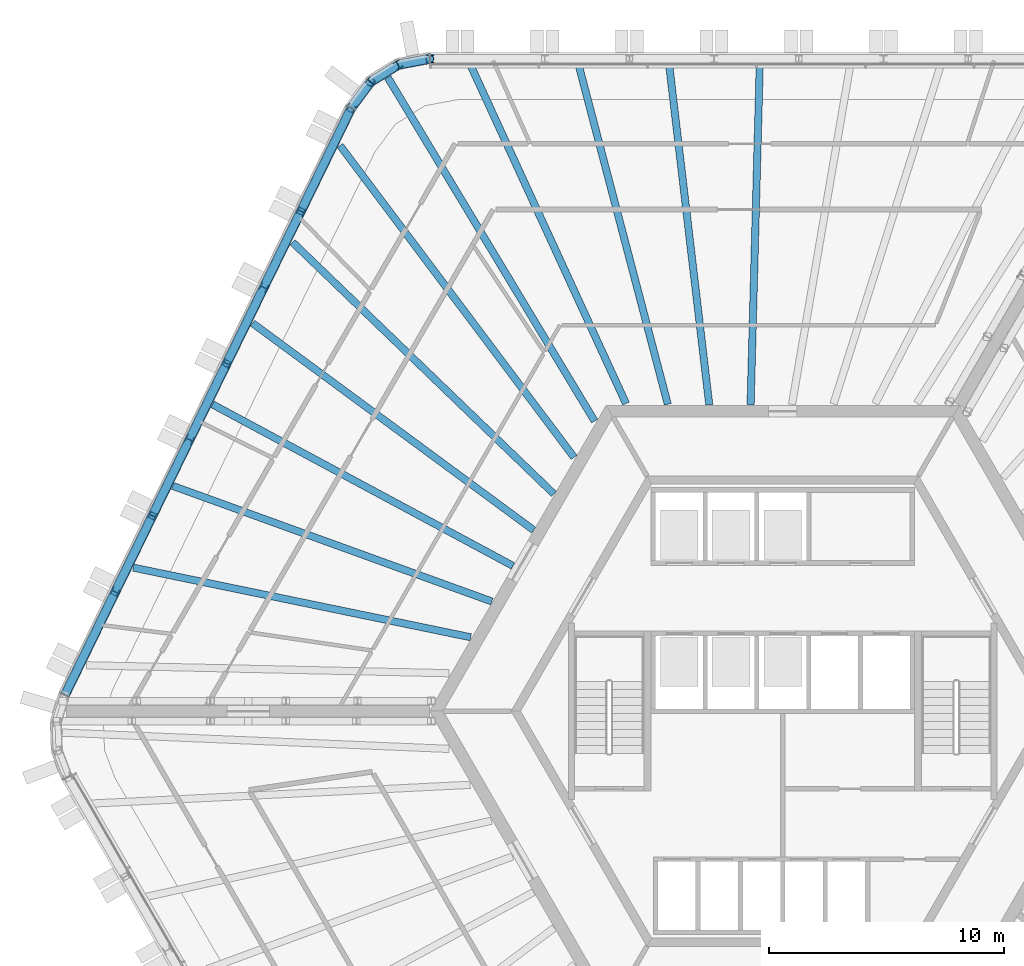
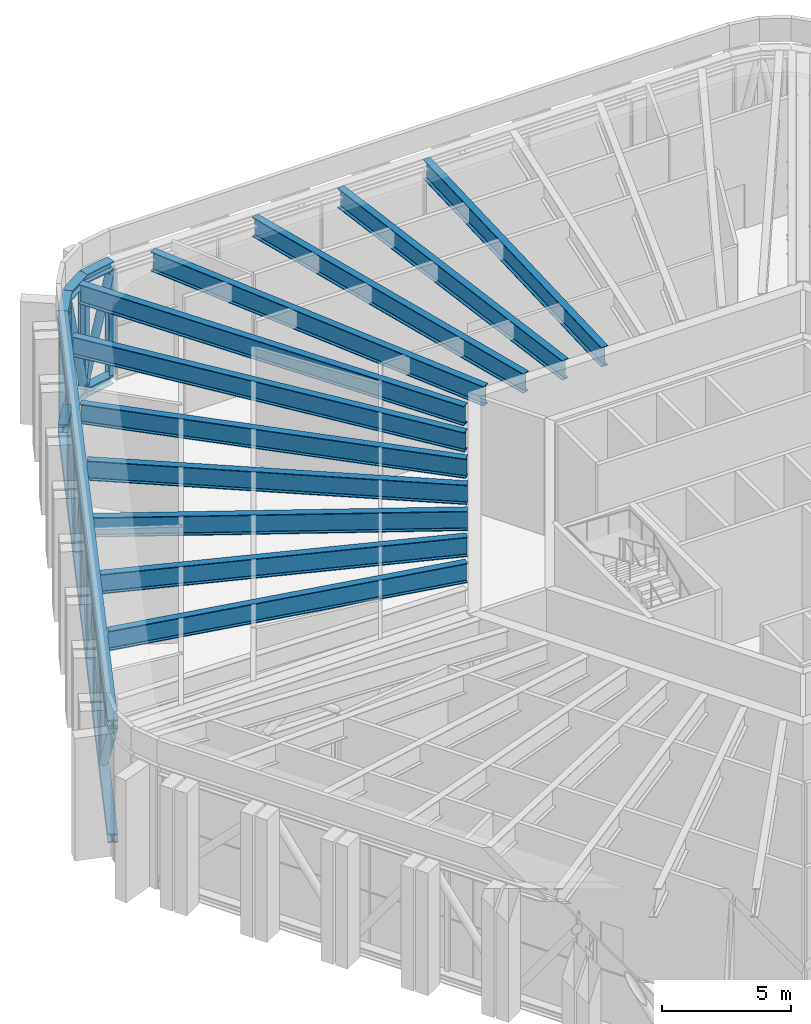
# One storey, part 6 of 24: 28 members, 11 beams.
"""IFC4 building model written with IfcOpenShell, lengths in metres."""

from ifc_helpers import new_model, si_unit, direction, frame, origin, origin_2d, place, context, subcontext, project, spatial, hollow_circle, i_section, extrude, material, material_profile, profile_set, type_object, element, save


model = new_model("IFC4")

# Units and contexts
model_context = context("Model", 3, precision=1e-05, world=origin(), true_north=direction((0.0, 1.0)))
body_context = subcontext(model_context, "Body", "Model", "MODEL_VIEW")
ifc_project = project(units=[si_unit("LENGTHUNIT", "METRE"), si_unit("AREAUNIT", "SQUARE_METRE"), si_unit("VOLUMEUNIT", "CUBIC_METRE"), si_unit("PLANEANGLEUNIT", "RADIAN"), si_unit("MASSUNIT", "GRAM", prefix="KILO")], contexts=[model_context])

# Site, building, storey
site_placement = place(None, origin())
site = spatial("IfcSite", under=ifc_project, at=site_placement, CompositionType="ELEMENT")
building_placement = place(site_placement, origin())
building = spatial("IfcBuilding", under=site, at=building_placement, Name="Tarnside Tower", CompositionType="ELEMENT")
storey_placement = place(building_placement, frame((0.0, 0.0, 250.199951171875)))
storey = spatial("IfcBuildingStorey", under=building, at=storey_placement, Name="L60", CompositionType="ELEMENT", Elevation=250.199951171875)

# Beams
ifc_material = material(Name="Steel S355", Category="steel")
ifc_material_profile_1 = material_profile(ifc_material, i_section(OverallWidth=0.3076171875, OverallDepth=0.926513671875, WebThickness=0.01953125, FlangeThickness=0.031982421875, FilletRadius=0.01904296875, at=origin_2d()), Name="UB 914x305x289")
ifc_profile_set_1 = profile_set([ifc_material_profile_1], Name="Steel S355")
beam_type = type_object("IfcBeamType", Name="Floor beam UB 914x305x289", PredefinedType="BEAM", material=ifc_profile_set_1)
beam_1_placement = place(storey_placement, frame((-0.977783203125, 27.50146484375, 5.036865234375), z_axis=(-0.026863321038, -0.999639115873, 0.0), x_axis=(0.999639115873, -0.026863321038, 0.0)))
element("IfcBeam", 1, at=beam_1_placement, inside=storey, type_object=beam_type, Name="Floor beam F1.04", PredefinedType="BEAM", context=body_context, shape_type="SweptSolid", body=[
    extrude(i_section(OverallWidth=0.3076171875, OverallDepth=0.926513671875, WebThickness=0.01953125, FlangeThickness=0.031982421875, FilletRadius=0.01904296875, at=origin_2d()), origin(), (0.0, 0.0, 1.0), 14.486572265625),
])
beam_2_placement = place(storey_placement, frame((-4.831298828125, 27.501708984375, 5.036865234375), z_axis=(0.117114209744, -0.993118453094, 0.0), x_axis=(0.993118453094, 0.117114209744, 0.0)))
element("IfcBeam", 2, at=beam_2_placement, inside=storey, type_object=beam_type, Name="Floor beam F1.05", PredefinedType="BEAM", context=body_context, shape_type="SweptSolid", body=[
    extrude(i_section(OverallWidth=0.3076171875, OverallDepth=0.926513671875, WebThickness=0.01953125, FlangeThickness=0.031982421875, FilletRadius=0.01904296875, at=origin_2d()), origin(), (0.0, 0.0, 1.0), 14.58203125),
])
beam_3_placement = place(storey_placement, frame((-8.68017578125, 27.48291015625, 5.036865234375), z_axis=(0.25412313077, -0.967171874285, 0.0), x_axis=(0.967171874285, 0.25412313077, 0.0)))
element("IfcBeam", 3, at=beam_3_placement, inside=storey, type_object=beam_type, Name="Floor beam F1.06", PredefinedType="BEAM", context=body_context, shape_type="SweptSolid", body=[
    extrude(i_section(OverallWidth=0.3076171875, OverallDepth=0.926513671875, WebThickness=0.01953125, FlangeThickness=0.031982421875, FilletRadius=0.01904296875, at=origin_2d()), origin(), (0.0, 0.0, 1.0), 14.934326171875),
])
beam_4_placement = place(storey_placement, frame((-13.266357421875, 27.44873046875, 5.036865234375), z_axis=(0.41745161314, -0.908699153013, 0.0), x_axis=(0.908699153013, 0.41745161314, 0.0)))
element("IfcBeam", 4, at=beam_4_placement, inside=storey, type_object=beam_type, Name="Floor beam F1.07", PredefinedType="BEAM", context=body_context, shape_type="SweptSolid", body=[
    extrude(i_section(OverallWidth=0.3076171875, OverallDepth=0.926513671875, WebThickness=0.01953125, FlangeThickness=0.031982421875, FilletRadius=0.01904296875, at=origin_2d()), origin(), (0.0, 0.0, 1.0), 15.8203125),
])
beam_5_placement = place(storey_placement, frame((-16.78857421875, 26.93359375, 5.036865234375), z_axis=(0.515731331161, -0.856750368578, 0.0), x_axis=(0.856750368578, 0.515731331161, 0.0)))
element("IfcBeam", 5, at=beam_5_placement, inside=storey, type_object=beam_type, Name="Floor beam C1", PredefinedType="BEAM", context=body_context, shape_type="SweptSolid", body=[
    extrude(i_section(OverallWidth=0.3076171875, OverallDepth=0.926513671875, WebThickness=0.01953125, FlangeThickness=0.031982421875, FilletRadius=0.01904296875, at=origin_2d()), origin(), (0.0, 0.0, 1.0), 17.049560546875),
])
beam_6_placement = place(storey_placement, frame((-18.817138671875, 24.037841796875, 5.036865234375), z_axis=(0.600358257104, -0.79973118179, 0.0), x_axis=(0.79973118179, 0.600358257104, 0.0)))
element("IfcBeam", 6, at=beam_6_placement, inside=storey, type_object=beam_type, Name="Floor beam F2.01", PredefinedType="BEAM", context=body_context, shape_type="SweptSolid", body=[
    extrude(i_section(OverallWidth=0.3076171875, OverallDepth=0.926513671875, WebThickness=0.01953125, FlangeThickness=0.031982421875, FilletRadius=0.01904296875, at=origin_2d()), origin(), (0.0, 0.0, 1.0), 16.570556640625),
])
beam_7_placement = place(storey_placement, frame((-20.836181640625, 19.930419921875, 5.036865234375), z_axis=(0.720269831196, -0.69369400334, 0.0), x_axis=(0.69369400334, 0.720269831196, 0.0)))
element("IfcBeam", 7, at=beam_7_placement, inside=storey, type_object=beam_type, Name="Floor beam F2.02", PredefinedType="BEAM", context=body_context, shape_type="SweptSolid", body=[
    extrude(i_section(OverallWidth=0.3076171875, OverallDepth=0.926513671875, WebThickness=0.01953125, FlangeThickness=0.031982421875, FilletRadius=0.01904296875, at=origin_2d()), origin(), (0.0, 0.0, 1.0), 15.42431640625),
])
beam_8_placement = place(storey_placement, frame((-22.53466796875, 16.488525390625, 5.036865234375), z_axis=(0.805321384056, -0.592838484228, 0.0), x_axis=(0.592838484228, 0.805321384056, 0.0)))
element("IfcBeam", 8, at=beam_8_placement, inside=storey, type_object=beam_type, Name="Floor beam F2.03", PredefinedType="BEAM", context=body_context, shape_type="SweptSolid", body=[
    extrude(i_section(OverallWidth=0.3076171875, OverallDepth=0.926513671875, WebThickness=0.01953125, FlangeThickness=0.031982421875, FilletRadius=0.01904296875, at=origin_2d()), origin(), (0.0, 0.0, 1.0), 14.8310546875),
])
beam_9_placement = place(storey_placement, frame((-24.23876953125, 13.0390625, 5.036865234375), z_axis=(0.880816935365, -0.473456995274, 0.0), x_axis=(0.473456995274, 0.880816935365, 0.0)))
element("IfcBeam", 9, at=beam_9_placement, inside=storey, type_object=beam_type, Name="Floor beam F2.04", PredefinedType="BEAM", context=body_context, shape_type="SweptSolid", body=[
    extrude(i_section(OverallWidth=0.3076171875, OverallDepth=0.926513671875, WebThickness=0.01953125, FlangeThickness=0.031982421875, FilletRadius=0.01904296875, at=origin_2d()), origin(), (0.0, 0.0, 1.0), 14.49755859375),
])
beam_10_placement = place(storey_placement, frame((-25.92919921875, 9.573486328125, 5.036865234375), z_axis=(0.940215681399, -0.340579612501, 0.0), x_axis=(0.340579612501, 0.940215681399, 0.0)))
element("IfcBeam", 10, at=beam_10_placement, inside=storey, type_object=beam_type, Name="Floor beam F2.05", PredefinedType="BEAM", context=body_context, shape_type="SweptSolid", body=[
    extrude(i_section(OverallWidth=0.3076171875, OverallDepth=0.926513671875, WebThickness=0.01953125, FlangeThickness=0.031982421875, FilletRadius=0.01904296875, at=origin_2d()), origin(), (0.0, 0.0, 1.0), 14.42578125),
])
beam_11_placement = place(storey_placement, frame((-27.6025390625, 6.09912109375, 5.036865234375), z_axis=(0.979360352241, -0.202121993998, 0.0), x_axis=(0.202121993998, 0.979360352241, 0.0)))
element("IfcBeam", 11, at=beam_11_placement, inside=storey, type_object=beam_type, Name="Floor beam F2.06", PredefinedType="BEAM", context=body_context, shape_type="SweptSolid", body=[
    extrude(i_section(OverallWidth=0.3076171875, OverallDepth=0.926513671875, WebThickness=0.01953125, FlangeThickness=0.031982421875, FilletRadius=0.01904296875, at=origin_2d()), origin(), (0.0, 0.0, 1.0), 14.640869140625),
])

# Members
ifc_material_profile_2 = material_profile(ifc_material, i_section(OverallWidth=0.403076171875, OverallDepth=0.406494140625, WebThickness=0.026611328125, FlangeThickness=0.04296875, FilletRadius=0.01513671875, at=origin_2d()), Name="UC 356x406x340")
ifc_profile_set_2 = profile_set([ifc_material_profile_2], Name="Steel S355")
member_type_1 = type_object("IfcMemberType", Name="Truss chord UC 356x406x340", PredefinedType="CHORD", material=ifc_profile_set_2)
member_1_placement = place(storey_placement, frame((-14.996826171875, 27.72509765625, -0.0966796875), z_axis=(-0.982705443133, -0.185175624845, 0.0), x_axis=(0.185175624845, -0.982705443133, 0.0)))
element("IfcMember", 12, at=member_1_placement, inside=storey, type_object=member_type_1, Name="Belt truss bottom chord L60 corner1.1", PredefinedType="CHORD", context=body_context, shape_type="SweptSolid", body=[
    extrude(i_section(OverallWidth=0.403076171875, OverallDepth=0.406494140625, WebThickness=0.026611328125, FlangeThickness=0.04296875, FilletRadius=0.01513671875, at=origin_2d()), origin(), (0.0, 0.0, 1.0), 1.379150390625),
])
member_2_placement = place(storey_placement, frame((-16.35205078125, 27.4697265625, -0.0966796875), z_axis=(-0.848057977594, -0.5299034503, 0.0), x_axis=(0.5299034503, -0.848057977594, 0.0)))
element("IfcMember", 13, at=member_2_placement, inside=storey, type_object=member_type_1, Name="Belt truss bottom chord L60 corner1.2", PredefinedType="CHORD", context=body_context, shape_type="SweptSolid", body=[
    extrude(i_section(OverallWidth=0.403076171875, OverallDepth=0.406494140625, WebThickness=0.026611328125, FlangeThickness=0.04296875, FilletRadius=0.01513671875, at=origin_2d()), origin(), (0.0, 0.0, 1.0), 1.37890625),
])
member_3_placement = place(storey_placement, frame((-17.521484375, 26.739013671875, -0.0966796875), z_axis=(-0.597135295884, -0.802140535324, 0.0), x_axis=(0.802140535324, -0.597135295884, 0.0)))
element("IfcMember", 14, at=member_3_placement, inside=storey, type_object=member_type_1, Name="Belt truss bottom chord L60 corner1.3", PredefinedType="CHORD", context=body_context, shape_type="SweptSolid", body=[
    extrude(i_section(OverallWidth=0.403076171875, OverallDepth=0.406494140625, WebThickness=0.026611328125, FlangeThickness=0.04296875, FilletRadius=0.01513671875, at=origin_2d()), origin(), (0.0, 0.0, 1.0), 1.379150390625),
])
member_4_placement = place(storey_placement, frame((-18.344970703125, 25.6328125, -0.0966796875), z_axis=(-0.43837181828, -0.898793718791, 0.0), x_axis=(0.898793718791, -0.43837181828, 0.0)))
element("IfcMember", 15, at=member_4_placement, inside=storey, type_object=member_type_1, Name="Belt truss bottom chord L60 run", PredefinedType="CHORD", context=body_context, shape_type="SweptSolid", body=[
    extrude(i_section(OverallWidth=0.403076171875, OverallDepth=0.406494140625, WebThickness=0.026611328125, FlangeThickness=0.04296875, FilletRadius=0.01513671875, at=origin_2d()), origin(), (0.0, 0.0, 1.0), 27.7578125),
])
ifc_material_profile_3 = material_profile(ifc_material, i_section(OverallWidth=0.406982421875, OverallDepth=0.4189453125, WebThickness=0.030517578125, FlangeThickness=0.04931640625, FilletRadius=0.01513671875, at=origin_2d()), Name="UC 356x406x393")
ifc_profile_set_3 = profile_set([ifc_material_profile_3], Name="Steel S355")
member_type_2 = type_object("IfcMemberType", Name="Truss chord UC 356x406x393", PredefinedType="CHORD", material=ifc_profile_set_3)
member_5_placement = place(storey_placement, frame((-14.996826171875, 27.72509765625, 5.29052734375), z_axis=(-0.982705443133, -0.185175624845, 0.0), x_axis=(0.185175624845, -0.982705443133, 0.0)))
element("IfcMember", 16, at=member_5_placement, inside=storey, type_object=member_type_2, Name="Belt truss top chord L60 corner1.1", PredefinedType="CHORD", context=body_context, shape_type="SweptSolid", body=[
    extrude(i_section(OverallWidth=0.406982421875, OverallDepth=0.4189453125, WebThickness=0.030517578125, FlangeThickness=0.04931640625, FilletRadius=0.01513671875, at=origin_2d()), origin(), (0.0, 0.0, 1.0), 1.379150390625),
])
member_6_placement = place(storey_placement, frame((-16.35205078125, 27.4697265625, 5.29052734375), z_axis=(-0.848057977594, -0.5299034503, 0.0), x_axis=(0.5299034503, -0.848057977594, 0.0)))
element("IfcMember", 17, at=member_6_placement, inside=storey, type_object=member_type_2, Name="Belt truss top chord L60 corner1.2", PredefinedType="CHORD", context=body_context, shape_type="SweptSolid", body=[
    extrude(i_section(OverallWidth=0.406982421875, OverallDepth=0.4189453125, WebThickness=0.030517578125, FlangeThickness=0.04931640625, FilletRadius=0.01513671875, at=origin_2d()), origin(), (0.0, 0.0, 1.0), 1.37890625),
])
member_7_placement = place(storey_placement, frame((-17.521484375, 26.739013671875, 5.29052734375), z_axis=(-0.597135295884, -0.802140535324, 0.0), x_axis=(0.802140535324, -0.597135295884, 0.0)))
element("IfcMember", 18, at=member_7_placement, inside=storey, type_object=member_type_2, Name="Belt truss top chord L60 corner1.3", PredefinedType="CHORD", context=body_context, shape_type="SweptSolid", body=[
    extrude(i_section(OverallWidth=0.406982421875, OverallDepth=0.4189453125, WebThickness=0.030517578125, FlangeThickness=0.04931640625, FilletRadius=0.01513671875, at=origin_2d()), origin(), (0.0, 0.0, 1.0), 1.379150390625),
])
member_8_placement = place(storey_placement, frame((-18.344970703125, 25.6328125, 5.29052734375), z_axis=(-0.43837181828, -0.898793718791, 0.0), x_axis=(0.898793718791, -0.43837181828, 0.0)))
element("IfcMember", 19, at=member_8_placement, inside=storey, type_object=member_type_2, Name="Belt truss top chord L60 run", PredefinedType="CHORD", context=body_context, shape_type="SweptSolid", body=[
    extrude(i_section(OverallWidth=0.406982421875, OverallDepth=0.4189453125, WebThickness=0.030517578125, FlangeThickness=0.04931640625, FilletRadius=0.01513671875, at=origin_2d()), origin(), (0.0, 0.0, 1.0), 27.7578125),
])
ifc_material_profile_4 = material_profile(ifc_material, hollow_circle(Radius=0.177734375, WallThickness=0.01611328125, at=origin_2d()), Name="CHS 355.6x16")
ifc_profile_set_4 = profile_set([ifc_material_profile_4], Name="Steel S355")
member_type_3 = type_object("IfcMemberType", Name="Truss diagonal CHS 355.6x16", PredefinedType="BRACE", material=ifc_profile_set_4)
for number, where, z_axis, x_axis, name in (
    (20, (-14.996826171875, 27.72509765625, 5.0810546875), (-0.262527129381, -0.049469172641, -0.963655699561), (0.185175624845, -0.982705443133, 0.0), "Belt truss diagonal L60 8"),
    (21, (-16.35205078125, 27.4697265625, 0.1064453125), (-0.226538061651, -0.141550818063, 0.96366170025), (0.5299034503, -0.848057977594, 0.0), "Belt truss diagonal L60 9"),
    (22, (-17.521484375, 26.739013671875, 5.0810546875), (-0.159521640843, -0.214287742265, -0.96365637528), (0.802140535324, -0.597135295884, 0.0), "Belt truss diagonal L60 10"),
):
    element("IfcMember", number, at=place(storey_placement, frame(where, z_axis=z_axis, x_axis=x_axis)), inside=storey, type_object=member_type_3, Name=name, PredefinedType="BRACE", context=body_context, shape_type="SweptSolid", body=[
        extrude(hollow_circle(Radius=0.177734375, WallThickness=0.01611328125, at=origin_2d()), origin(), (0.0, 0.0, 1.0), 5.162109375),
    ])
member_9_placement = place(storey_placement, frame((-18.344970703125, 25.6328125, 0.1064453125), z_axis=(-0.306940477044, -0.629333094543, 0.713951958933), x_axis=(0.898797299982, -0.438364475688, 0.0)))
element("IfcMember", 23, at=member_9_placement, inside=storey, type_object=member_type_3, Name="Belt truss diagonal L60 11", PredefinedType="BRACE", context=body_context, shape_type="SweptSolid", body=[
    extrude(hollow_circle(Radius=0.177734375, WallThickness=0.01611328125, at=origin_2d()), origin(), (0.0, 0.0, 1.0), 6.9677734375),
])
for number, where, z_axis, x_axis, name in (
    (24, (-20.483642578125, 21.247802734375, 5.0810546875), (-0.257000791384, -0.526923188151, -0.810125019375), (0.898791908536, -0.438375529826, 0.0), "Belt truss diagonal L60 12"),
    (25, (-22.061767578125, 18.01220703125, 0.1064453125), (-0.257000791384, -0.526923188151, 0.810125019375), (0.898791908536, -0.438375529826, 0.0), "Belt truss diagonal L60 13"),
    (26, (-23.639892578125, 14.776611328125, 5.0810546875), (-0.256995407228, -0.526951907085, -0.810108047289), (0.89880494014, -0.438348810402, 0.0), "Belt truss diagonal L60 14"),
    (27, (-25.218017578125, 11.540771484375, 0.1064453125), (-0.257000791384, -0.526923188151, 0.810125019375), (0.898791908536, -0.438375529826, 0.0), "Belt truss diagonal L60 15"),
    (28, (-26.796142578125, 8.30517578125, 5.0810546875), (-0.257000791384, -0.526923188151, -0.810125019375), (0.898791908536, -0.438375529826, 0.0), "Belt truss diagonal L60 16"),
):
    element("IfcMember", number, at=place(storey_placement, frame(where, z_axis=z_axis, x_axis=x_axis)), inside=storey, type_object=member_type_3, Name=name, PredefinedType="BRACE", context=body_context, shape_type="SweptSolid", body=[
        extrude(hollow_circle(Radius=0.177734375, WallThickness=0.01611328125, at=origin_2d()), origin(), (0.0, 0.0, 1.0), 6.140625),
    ])
member_10_placement = place(storey_placement, frame((-28.374267578125, 5.069580078125, 0.1064453125), z_axis=(-0.306965445402, -0.629347486624, 0.713928537326), x_axis=(0.898787200151, -0.438385183194, 0.0)))
element("IfcMember", 29, at=member_10_placement, inside=storey, type_object=member_type_3, Name="Belt truss diagonal L60 17", PredefinedType="BRACE", context=body_context, shape_type="SweptSolid", body=[
    extrude(hollow_circle(Radius=0.177734375, WallThickness=0.01611328125, at=origin_2d()), origin(), (0.0, 0.0, 1.0), 6.968017578125),
])
ifc_material_profile_5 = material_profile(ifc_material, i_section(OverallWidth=0.311279296875, OverallDepth=0.3271484375, WebThickness=0.015869140625, FlangeThickness=0.02490234375, FilletRadius=0.01513671875, at=origin_2d()), Name="UC 305x305x158")
ifc_profile_set_5 = profile_set([ifc_material_profile_5], Name="Steel S355")
member_type_4 = type_object("IfcMemberType", Name="Truss post UC 305x305x158", PredefinedType="POST", material=ifc_profile_set_5)
for number, where, z_axis, x_axis, name in (
    (30, (-14.996826171875, 27.72509765625, 0.1064453125), (0.0, 0.0, 1.0), (-1.0, 0.0, 0.0), "Belt truss post L60 8"),
    (31, (-16.35205078125, 27.4697265625, 0.1064453125), (0.0, 0.0, 1.0), (-0.848048096156, -0.529919264233, 0.0), "Belt truss post L60 9"),
    (32, (-17.521484375, 26.739013671875, 0.1064453125), (0.0, 0.0, 1.0), (-0.597158591707, -0.802123192752, 0.0), "Belt truss post L60 10"),
    (33, (-18.344970703125, 25.6328125, 0.1064453125), (0.0, 0.0, 1.0), (-0.438371146789, -0.898794046299, 0.0), "Belt truss post L60 11"),
    (34, (-20.483642578125, 21.247802734375, 0.1064453125), (0.0, 0.0, 1.0), (-0.438371146789, -0.898794046299, 0.0), "Belt truss post L60 12"),
    (35, (-22.061767578125, 18.01220703125, 0.1064453125), (0.0, 0.0, 1.0), (-0.438371146789, -0.898794046299, 0.0), "Belt truss post L60 13"),
    (36, (-23.639892578125, 14.776611328125, 0.1064453125), (0.0, 0.0, 1.0), (-0.438371146789, -0.898794046299, 0.0), "Belt truss post L60 14"),
    (37, (-25.218017578125, 11.540771484375, 0.1064453125), (0.0, 0.0, 1.0), (-0.438371146789, -0.898794046299, 0.0), "Belt truss post L60 15"),
    (38, (-26.796142578125, 8.30517578125, 0.1064453125), (0.0, 0.0, 1.0), (-0.438371146789, -0.898794046299, 0.0), "Belt truss post L60 16"),
    (39, (-28.374267578125, 5.069580078125, 0.1064453125), (0.0, 0.0, 1.0), (-0.438371146789, -0.898794046299, 0.0), "Belt truss post L60 17"),
):
    element("IfcMember", number, at=place(storey_placement, frame(where, z_axis=z_axis, x_axis=x_axis)), inside=storey, type_object=member_type_4, Name=name, PredefinedType="POST", context=body_context, shape_type="SweptSolid", body=[
        extrude(i_section(OverallWidth=0.311279296875, OverallDepth=0.3271484375, WebThickness=0.015869140625, FlangeThickness=0.02490234375, FilletRadius=0.01513671875, at=origin_2d()), origin(), (0.0, 0.0, 1.0), 4.974609375),
    ])

save(model, "model.ifc")
